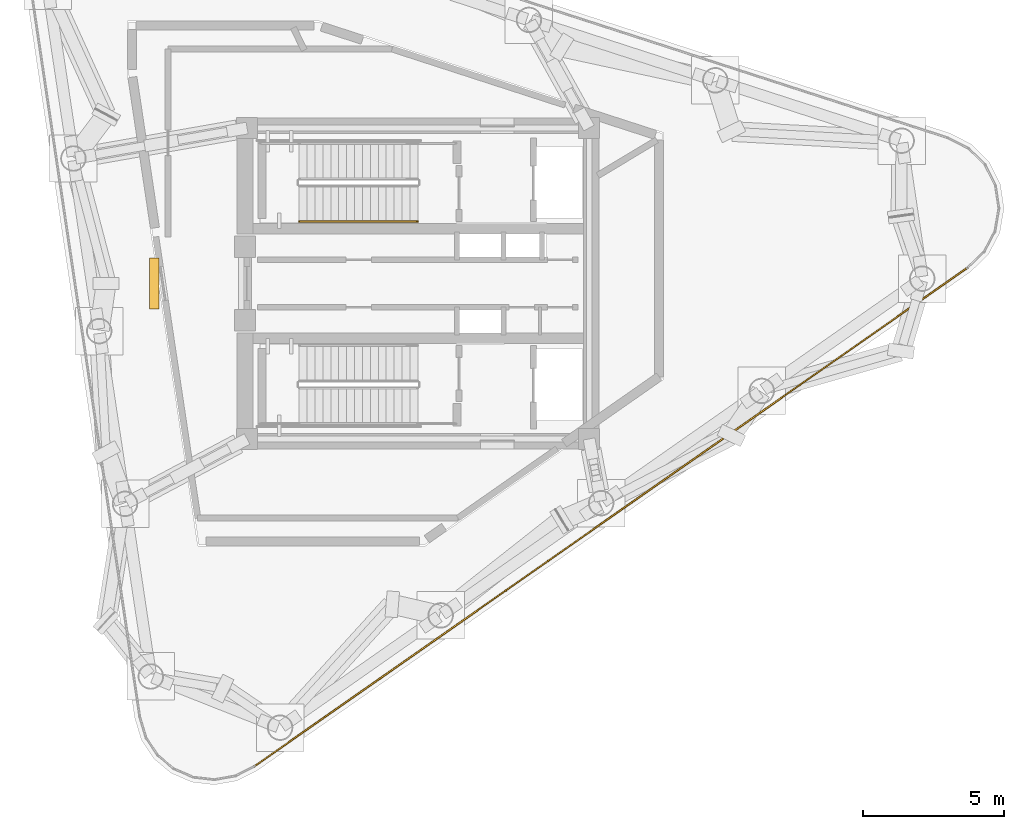
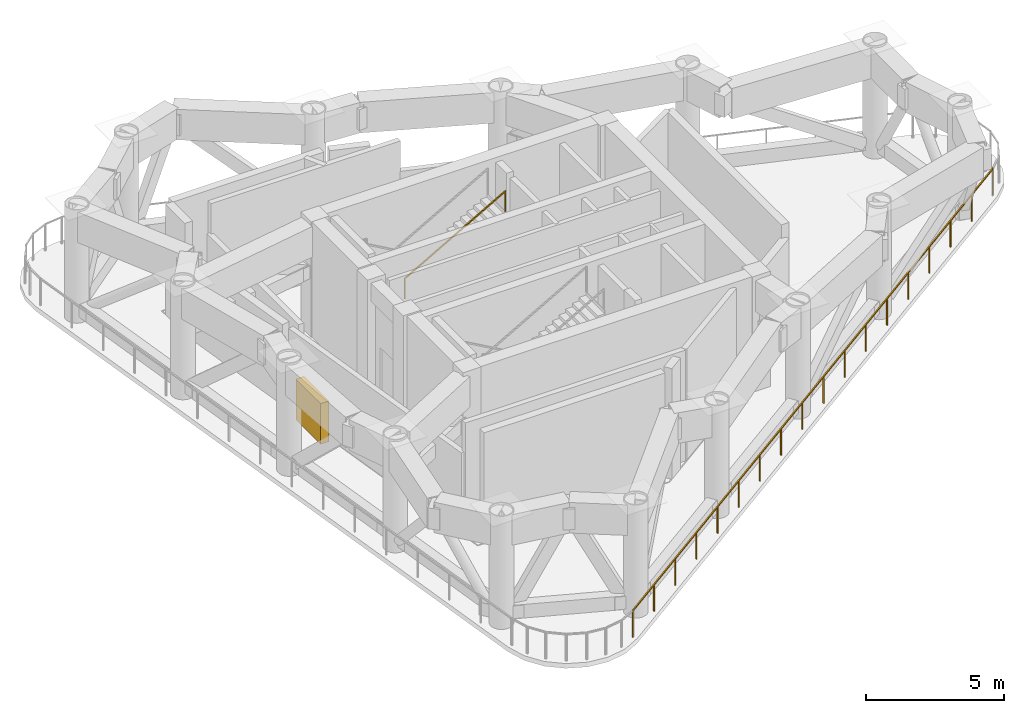
# One storey, part 7 of 9: 2 railings, 1 shading device.
"""IFC4 building model written with IfcOpenShell, lengths in metres."""

from ifc_helpers import new_model, si_unit, direction, frame, origin, origin_2d, place, context, subcontext, project, spatial, rectangle, extrude, source, transform, mapped, material, layer, layer_set, type_object, element, save


model = new_model("IFC4")

# Units and contexts
model_context = context("Model", 3, precision=1e-05, world=origin(), true_north=direction((0.0, 1.0)))
body_context = subcontext(model_context, "Body", "Model", "MODEL_VIEW")
ifc_project = project(units=[si_unit("LENGTHUNIT", "METRE"), si_unit("AREAUNIT", "SQUARE_METRE"), si_unit("VOLUMEUNIT", "CUBIC_METRE"), si_unit("PLANEANGLEUNIT", "RADIAN"), si_unit("MASSUNIT", "GRAM", prefix="KILO")], contexts=[model_context])

# Site, building, storey
site_placement = place(None, origin())
site = spatial("IfcSite", under=ifc_project, at=site_placement, CompositionType="ELEMENT")
building_placement = place(site_placement, origin())
building = spatial("IfcBuilding", under=site, at=building_placement, Name="Yunling Apex Tower", CompositionType="ELEMENT")
storey_placement = place(building_placement, frame((0.0, 0.0, 284.75)))
storey = spatial("IfcBuildingStorey", under=building, at=storey_placement, Name="RF8", CompositionType="ELEMENT", Elevation=284.75)

# Railings
ifc_material_1 = material(Name="Bronze anodised aluminium", Category="aluminium")
railing_type_1 = type_object("IfcRailingType", Name="RL-BAL-1200", PredefinedType="BALUSTRADE", material=ifc_material_1)
railing_1_placement = place(storey_placement, frame((19.446533203125, 0.562255859375, 0.0)))
element("IfcRailing", 1, at=railing_1_placement, inside=storey, type_object=railing_type_1, Name="RL-REF-RF8-17", PredefinedType="BALUSTRADE", context=body_context, shape_type="SweptSolid", body=[
    extrude(rectangle(XDim=0.0439453125, YDim=0.0439453125, at=origin_2d()), origin(), (0.0, 0.0, 1.0), 1.199951171875),
    extrude(rectangle(XDim=0.0439453125, YDim=0.0439453125, at=origin_2d()), frame((-25.25048828125, -17.654541015625, 0.0)), (0.0, 0.0, 1.0), 1.199951171875),
    extrude(rectangle(XDim=0.050048828125, YDim=0.050048828125, at=origin_2d()), frame((-0.031494140625, -0.02197265625, 1.1748046875), z_axis=(-0.819548968462, -0.573009152016, 0.0), x_axis=(0.573009152016, -0.819548968462, 0.0)), (0.0, 0.0, 1.0), 30.733642578125),
    extrude(rectangle(XDim=0.0439453125, YDim=0.0439453125, at=origin_2d()), frame((-1.4853515625, -1.03857421875, 0.0)), (0.0, 0.0, 1.0), 1.14599609375),
    extrude(rectangle(XDim=0.0439453125, YDim=0.0439453125, at=origin_2d()), frame((-2.970703125, -2.076904296875, 0.0)), (0.0, 0.0, 1.0), 1.14599609375),
    extrude(rectangle(XDim=0.0439453125, YDim=0.0439453125, at=origin_2d()), frame((-4.4560546875, -3.115478515625, 0.0)), (0.0, 0.0, 1.0), 1.14599609375),
    extrude(rectangle(XDim=0.0439453125, YDim=0.0439453125, at=origin_2d()), frame((-5.94140625, -4.154052734375, 0.0)), (0.0, 0.0, 1.0), 1.14599609375),
    extrude(rectangle(XDim=0.0439453125, YDim=0.0439453125, at=origin_2d()), frame((-7.426513671875, -5.192626953125, 0.0)), (0.0, 0.0, 1.0), 1.14599609375),
    extrude(rectangle(XDim=0.0439453125, YDim=0.0439453125, at=origin_2d()), frame((-8.911865234375, -6.23095703125, 0.0)), (0.0, 0.0, 1.0), 1.14599609375),
    extrude(rectangle(XDim=0.0439453125, YDim=0.0439453125, at=origin_2d()), frame((-10.397216796875, -7.26953125, 0.0)), (0.0, 0.0, 1.0), 1.14599609375),
    extrude(rectangle(XDim=0.0439453125, YDim=0.0439453125, at=origin_2d()), frame((-11.882568359375, -8.30810546875, 0.0)), (0.0, 0.0, 1.0), 1.14599609375),
    extrude(rectangle(XDim=0.0439453125, YDim=0.0439453125, at=origin_2d()), frame((-13.367919921875, -9.346435546875, 0.0)), (0.0, 0.0, 1.0), 1.14599609375),
    extrude(rectangle(XDim=0.0439453125, YDim=0.0439453125, at=origin_2d()), frame((-14.853271484375, -10.385009765625, 0.0)), (0.0, 0.0, 1.0), 1.14599609375),
    extrude(rectangle(XDim=0.0439453125, YDim=0.0439453125, at=origin_2d()), frame((-16.338623046875, -11.423583984375, 0.0)), (0.0, 0.0, 1.0), 1.14599609375),
    extrude(rectangle(XDim=0.0439453125, YDim=0.0439453125, at=origin_2d()), frame((-17.823974609375, -12.4619140625, 0.0)), (0.0, 0.0, 1.0), 1.14599609375),
    extrude(rectangle(XDim=0.0439453125, YDim=0.0439453125, at=origin_2d()), frame((-19.30908203125, -13.50048828125, 0.0)), (0.0, 0.0, 1.0), 1.14599609375),
    extrude(rectangle(XDim=0.0439453125, YDim=0.0439453125, at=origin_2d()), frame((-20.79443359375, -14.5390625, 0.0)), (0.0, 0.0, 1.0), 1.14599609375),
    extrude(rectangle(XDim=0.0439453125, YDim=0.0439453125, at=origin_2d()), frame((-22.27978515625, -15.57763671875, 0.0)), (0.0, 0.0, 1.0), 1.14599609375),
    extrude(rectangle(XDim=0.0439453125, YDim=0.0439453125, at=origin_2d()), frame((-23.76513671875, -16.615966796875, 0.0)), (0.0, 0.0, 1.0), 1.14599609375),
])
ifc_material_2 = material(Name="Silver anodised aluminium", Category="aluminium")
railing_type_2 = type_object("IfcRailingType", Name="RL-HND-900", PredefinedType="HANDRAIL", material=ifc_material_2)
railing_2_placement = place(storey_placement, frame((-4.2099609375, 2.18994140625, 2.70947265625)))
element("IfcRailing", 2, at=railing_2_placement, inside=storey, type_object=railing_type_2, Name="RF8 ST-1 stair handrail 2", PredefinedType="HANDRAIL", context=body_context, shape_type="SweptSolid", body=[
    extrude(rectangle(XDim=0.0439453125, YDim=0.0439453125, at=origin_2d()), origin(), (0.0, 0.0, 1.0), 0.919921875),
    extrude(rectangle(XDim=0.0439453125, YDim=0.0439453125, at=origin_2d()), frame((4.199951171875, 0.0, 2.390625)), (0.0, 0.0, 1.0), 0.919921875),
    extrude(rectangle(XDim=0.050048828125, YDim=0.050048828125, at=origin_2d()), frame((0.033203125, 0.0, 0.913818359375), z_axis=(0.869075089623, 0.0, 0.494680188199), x_axis=(0.0, 1.0, 0.0)), (0.0, 0.0, 1.0), 4.756103515625),
])

# Shading device
ifc_layer = layer(ifc_material_1, 0.1201171875)
ifc_layer_set = layer_set([ifc_layer], Name="Bronze anodised aluminium")
shading_device_type = type_object("IfcShadingDeviceType", Name="LV-BRZ-1", PredefinedType="USERDEFINED", material=ifc_layer_set)
shared_shape = source(origin(), body_context, "Body", "SweptSolid", [
    extrude(rectangle(XDim=1.800048828125, YDim=0.340087890625, at=origin_2d()), origin(), (0.0, 0.0, 1.0), 1.800048828125),
])
shading_device_placement = place(storey_placement, frame((-9.33740234375, 0.0, 0.0), z_axis=(0.0, 0.0, 1.0), x_axis=(0.0, 1.0, 0.0)))
element("IfcShadingDevice", 3, at=shading_device_placement, inside=storey, type_object=shading_device_type, Name="LV-REF-RF8-1", ObjectType="LOUVRE", PredefinedType="USERDEFINED", context=body_context, shape_type="MappedRepresentation", body=[
    mapped(shared_shape, transform((0.0, 0.0, 0.0), scale=1.0)),
])

save(model, "model.ifc")
